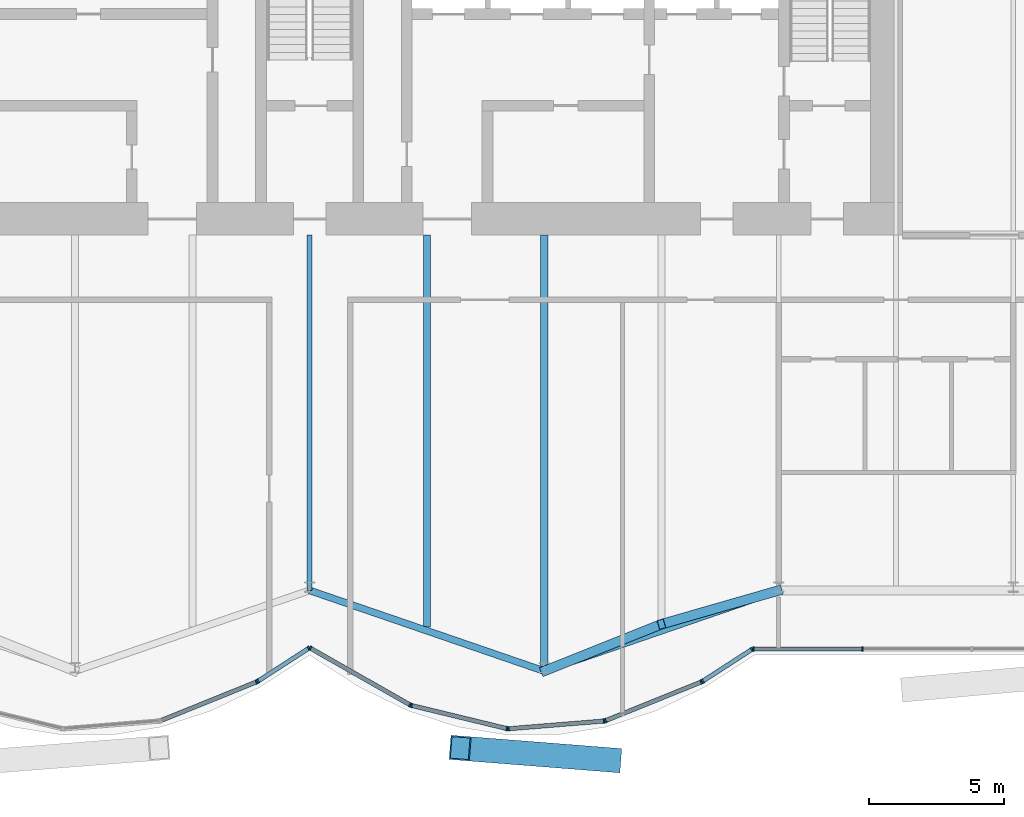
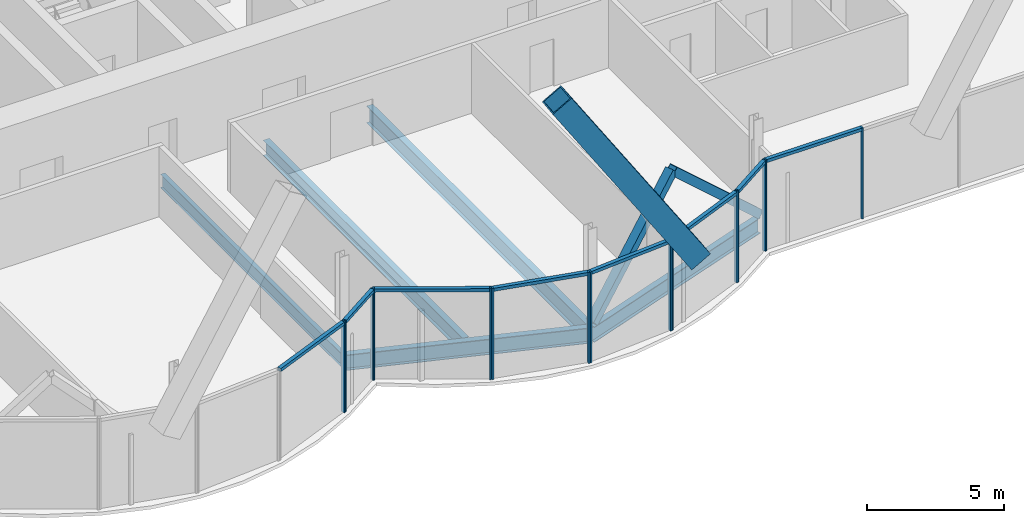
# One storey, part 8 of 19: 26 members, 5 beams, 3 elements without a shape of their own.
"""IFC4 building model written with IfcOpenShell, lengths in metres."""

from ifc_helpers import new_model, si_unit, direction, frame, origin, origin_2d, place, context, subcontext, project, spatial, rectangle, hollow_rectangle, i_section, extrude, material, material_profile, profile_set, type_object, element, aggregate, save


model = new_model("IFC4")

# Units and contexts
model_context = context("Model", 3, precision=1e-05, world=origin(), true_north=direction((0.0, 1.0)))
body_context = subcontext(model_context, "Body", "Model", "MODEL_VIEW")
ifc_project = project(units=[si_unit("LENGTHUNIT", "METRE"), si_unit("AREAUNIT", "SQUARE_METRE"), si_unit("VOLUMEUNIT", "CUBIC_METRE"), si_unit("PLANEANGLEUNIT", "RADIAN"), si_unit("MASSUNIT", "GRAM", prefix="KILO")], contexts=[model_context])

# Site, building, storey
site_placement = place(None, origin())
site = spatial("IfcSite", under=ifc_project, at=site_placement, CompositionType="ELEMENT")
building_placement = place(site_placement, origin())
building = spatial("IfcBuilding", under=site, at=building_placement, Name="Bicima Exchange Tower", CompositionType="ELEMENT")
storey_placement = place(building_placement, frame((0.0, 0.0, 270.800048828125)))
storey = spatial("IfcBuildingStorey", under=building, at=storey_placement, Name="L61", CompositionType="ELEMENT", Elevation=270.800048828125)

# Member
ifc_material_1 = material(Name="Steel ASTM A572 Gr 50", Category="steel")
ifc_material_profile_1 = material_profile(ifc_material_1, hollow_rectangle(XDim=0.89990234375, YDim=0.89990234375, WallThickness=0.050048828125, at=origin_2d()))
ifc_profile_set_1 = profile_set([ifc_material_profile_1], Name="Steel ASTM A572 Gr 50")
member_type_1 = type_object("IfcMemberType", Name="Exo mega brace BOX 900x900x50", PredefinedType="BRACE", material=ifc_profile_set_1)
member_1_placement = place(storey_placement, frame((11.166748046875, -32.466796875, 4.099853515625), z_axis=(-0.544041908681, 0.042676483785, 0.837972027774), x_axis=(-0.078203138445, -0.996937444947, 0.0)))
element("IfcMember", 1, at=member_1_placement, inside=storey, type_object=member_type_1, Name="Exo mega brace front", PredefinedType="BRACE", context=body_context, shape_type="SweptSolid", body=[
    extrude(hollow_rectangle(XDim=0.89990234375, YDim=0.89990234375, WallThickness=0.050048828125, at=origin_2d()), origin(), (0.0, 0.0, 1.0), 10.262939453125),
])

# Beams
ifc_material_2 = material(Name="Steel ASTM A992 Gr 50", Category="steel")
ifc_material_profile_2 = material_profile(ifc_material_2, i_section(OverallWidth=0.177978515625, OverallDepth=0.599365234375, WebThickness=0.010009765625, FlangeThickness=0.012939453125, at=origin_2d()))
ifc_profile_set_2 = profile_set([ifc_material_profile_2], Name="Steel ASTM A992 Gr 50")
beam_type_1 = type_object("IfcBeamType", Name="Floor beam W24x55", PredefinedType="JOIST", material=ifc_profile_set_2)
beam_1_placement = place(storey_placement, frame((0.0, -13.0, -0.44970703125), z_axis=(0.0, -1.0, 0.0), x_axis=(1.0, 0.0, 0.0)))
element("IfcBeam", 2, at=beam_1_placement, inside=storey, type_object=beam_type_1, Name="Floor beam", PredefinedType="JOIST", context=body_context, shape_type="SweptSolid", body=[
    extrude(i_section(OverallWidth=0.177978515625, OverallDepth=0.599365234375, WebThickness=0.010009765625, FlangeThickness=0.012939453125, at=origin_2d()), origin(), (0.0, 0.0, 1.0), 13.179931640625),
])
ifc_material_profile_3 = material_profile(ifc_material_2, i_section(OverallWidth=0.25390625, OverallDepth=0.67822265625, WebThickness=0.01171875, FlangeThickness=0.016357421875, at=origin_2d()))
ifc_profile_set_3 = profile_set([ifc_material_profile_3], Name="Steel ASTM A992 Gr 50")
beam_type_2 = type_object("IfcBeamType", Name="Floor beam W27x84", PredefinedType="JOIST", material=ifc_profile_set_3)
beam_2_placement = place(storey_placement, frame((4.35009765625, -13.0, -0.4892578125), z_axis=(0.0, -1.0, 0.0), x_axis=(1.0, 0.0, 0.0)))
element("IfcBeam", 3, at=beam_2_placement, inside=storey, type_object=beam_type_2, Name="Floor beam", PredefinedType="JOIST", context=body_context, shape_type="SweptSolid", body=[
    extrude(i_section(OverallWidth=0.25390625, OverallDepth=0.67822265625, WebThickness=0.01171875, FlangeThickness=0.016357421875, at=origin_2d()), origin(), (0.0, 0.0, 1.0), 14.539794921875),
])
ifc_material_profile_4 = material_profile(ifc_material_2, i_section(OverallWidth=0.2666015625, OverallDepth=0.75439453125, WebThickness=0.01318359375, FlangeThickness=0.01708984375, at=origin_2d()))
ifc_profile_set_4 = profile_set([ifc_material_profile_4], Name="Steel ASTM A992 Gr 50")
beam_type_3 = type_object("IfcBeamType", Name="Floor beam W30x99", PredefinedType="JOIST", material=ifc_profile_set_4)
beam_3_placement = place(storey_placement, frame((8.699951171875, -13.0, -0.52734375), z_axis=(0.0, -1.0, 0.0), x_axis=(1.0, 0.0, 0.0)))
element("IfcBeam", 4, at=beam_3_placement, inside=storey, type_object=beam_type_3, Name="Floor beam", PredefinedType="JOIST", context=body_context, shape_type="SweptSolid", body=[
    extrude(i_section(OverallWidth=0.2666015625, OverallDepth=0.75439453125, WebThickness=0.01318359375, FlangeThickness=0.01708984375, at=origin_2d()), origin(), (0.0, 0.0, 1.0), 16.035400390625),
])
ifc_material_profile_5 = material_profile(ifc_material_2, i_section(OverallWidth=0.256591796875, OverallDepth=0.693359375, WebThickness=0.014404296875, FlangeThickness=0.023681640625, at=origin_2d()))
ifc_profile_set_5 = profile_set([ifc_material_profile_5], Name="Steel ASTM A992 Gr 50")
beam_type_4 = type_object("IfcBeamType", Name="Front girder W27x114", PredefinedType="BEAM", material=ifc_profile_set_5)
for number, where, z_axis, x_axis, name in (
    (5, (0.0, -26.179931640625, -0.496826171875), (0.945666456746, -0.325138359143, 0.0), (0.325138359143, 0.945666456746, 0.0), "Front girder"),
    (6, (8.699951171875, -29.171142578125, -0.496826171875), (0.945666456746, 0.325138359143, 0.0), (-0.325138359143, 0.945666456746, 0.0), "Front girder"),
):
    element("IfcBeam", number, at=place(storey_placement, frame(where, z_axis=z_axis, x_axis=x_axis)), inside=storey, type_object=beam_type_4, Name=name, PredefinedType="BEAM", context=body_context, shape_type="SweptSolid", body=[
        extrude(i_section(OverallWidth=0.256591796875, OverallDepth=0.693359375, WebThickness=0.014404296875, FlangeThickness=0.023681640625, at=origin_2d()), origin(), (0.0, 0.0, 1.0), 9.19970703125),
    ])

# Curtain wall, members
ifc_material_3 = material(Name="Anodised bronze aluminium", Category="aluminium")
curtain_wall_type = type_object("IfcCurtainWallType", Name="Front glass wall", PredefinedType="NOTDEFINED", material=ifc_material_3)
curtain_wall_1_placement = place(storey_placement, origin())
curtain_wall_1 = element("IfcCurtainWall", 7, at=curtain_wall_1_placement, inside=storey, type_object=curtain_wall_type, Name="Front glass wall L61 run 6", PredefinedType="NOTDEFINED")
ifc_material_profile_6 = material_profile(ifc_material_3, rectangle(XDim=0.159912109375, YDim=0.06005859375, at=origin_2d()))
ifc_profile_set_6 = profile_set([ifc_material_profile_6], Name="Anodised bronze aluminium")
member_type_2 = type_object("IfcMemberType", Name="Front glass wall mullion 60 x 160", PredefinedType="MULLION", material=ifc_profile_set_6)
member_2_placement = place(storey_placement, frame((-1.97412109375, -29.57568359375, 0.0), z_axis=(0.0, 0.0, 1.0), x_axis=(-0.374705304, 0.92714396679, 0.0)))
member_2 = element("IfcMember", 8, at=member_2_placement, type_object=member_type_2, Name="Front glass wall mullion 2", PredefinedType="MULLION", context=body_context, shape_type="SweptSolid", body=[
    extrude(rectangle(XDim=0.159912109375, YDim=0.06005859375, at=origin_2d()), origin(), (0.0, 0.0, 1.0), 4.050048828125),
])
member_3_placement = place(storey_placement, frame((-1.921142578125, -29.548095703125, 0.0), z_axis=(0.0, 0.0, 1.0), x_axis=(-0.542897457326, 0.839798994301, 0.0)))
member_3 = element("IfcMember", 9, at=member_3_placement, type_object=member_type_2, Name="Front glass wall mullion 1", PredefinedType="MULLION", context=body_context, shape_type="SweptSolid", body=[
    extrude(rectangle(XDim=0.159912109375, YDim=0.06005859375, at=origin_2d()), origin(), (0.0, 0.0, 1.0), 4.050048828125),
])
member_4_placement = place(storey_placement, frame((-0.025146484375, -28.322509765625, 0.0), z_axis=(0.0, 0.0, 1.0), x_axis=(-0.542897457326, 0.839798994301, 0.0)))
member_4 = element("IfcMember", 10, at=member_4_placement, type_object=member_type_2, Name="Front glass wall mullion 2", PredefinedType="MULLION", context=body_context, shape_type="SweptSolid", body=[
    extrude(rectangle(XDim=0.159912109375, YDim=0.06005859375, at=origin_2d()), origin(), (0.0, 0.0, 1.0), 4.050048828125),
])

curtain_wall_2_placement = place(storey_placement, origin())
curtain_wall_2 = element("IfcCurtainWall", 11, at=curtain_wall_2_placement, inside=storey, type_object=curtain_wall_type, Name="Front glass wall L61 run 11", PredefinedType="NOTDEFINED")
member_5_placement = place(storey_placement, frame((0.026123046875, -28.321044921875, 0.0), z_axis=(0.0, 0.0, 1.0), x_axis=(0.494330311331, 0.869274147378, 0.0)))
member_5 = element("IfcMember", 12, at=member_5_placement, type_object=member_type_2, Name="Front glass wall mullion 1", PredefinedType="MULLION", context=body_context, shape_type="SweptSolid", body=[
    extrude(rectangle(XDim=0.159912109375, YDim=0.06005859375, at=origin_2d()), origin(), (0.0, 0.0, 1.0), 4.050048828125),
])
member_6_placement = place(storey_placement, frame((3.7265625, -30.42529296875, 0.0), z_axis=(0.0, 0.0, 1.0), x_axis=(0.494330311331, 0.869274147378, 0.0)))
member_6 = element("IfcMember", 13, at=member_6_placement, type_object=member_type_2, Name="Front glass wall mullion 2", PredefinedType="MULLION", context=body_context, shape_type="SweptSolid", body=[
    extrude(rectangle(XDim=0.159912109375, YDim=0.06005859375, at=origin_2d()), origin(), (0.0, 0.0, 1.0), 4.050048828125),
])
member_7_placement = place(storey_placement, frame((3.781982421875, -30.447265625, 0.0), z_axis=(0.0, 0.0, 1.0), x_axis=(0.235681529503, 0.971830343553, 0.0)))
member_7 = element("IfcMember", 14, at=member_7_placement, type_object=member_type_2, Name="Front glass wall mullion 1", PredefinedType="MULLION", context=body_context, shape_type="SweptSolid", body=[
    extrude(rectangle(XDim=0.159912109375, YDim=0.06005859375, at=origin_2d()), origin(), (0.0, 0.0, 1.0), 4.050048828125),
])
member_8_placement = place(storey_placement, frame((7.322509765625, -31.305908203125, 0.0), z_axis=(0.0, 0.0, 1.0), x_axis=(0.235681529503, 0.971830343553, 0.0)))
member_8 = element("IfcMember", 15, at=member_8_placement, type_object=member_type_2, Name="Front glass wall mullion 2", PredefinedType="MULLION", context=body_context, shape_type="SweptSolid", body=[
    extrude(rectangle(XDim=0.159912109375, YDim=0.06005859375, at=origin_2d()), origin(), (0.0, 0.0, 1.0), 4.050048828125),
])
member_9_placement = place(storey_placement, frame((7.381591796875, -31.310546875, 0.0), z_axis=(0.0, 0.0, 1.0), x_axis=(-0.080588612633, 0.99674744821, 0.0)))
member_9 = element("IfcMember", 16, at=member_9_placement, type_object=member_type_2, Name="Front glass wall mullion 1", PredefinedType="MULLION", context=body_context, shape_type="SweptSolid", body=[
    extrude(rectangle(XDim=0.159912109375, YDim=0.06005859375, at=origin_2d()), origin(), (0.0, 0.0, 1.0), 4.050048828125),
])
member_10_placement = place(storey_placement, frame((10.916015625, -31.02490234375, 0.0), z_axis=(0.0, 0.0, 1.0), x_axis=(-0.080588612633, 0.99674744821, 0.0)))
member_10 = element("IfcMember", 17, at=member_10_placement, type_object=member_type_2, Name="Front glass wall mullion 2", PredefinedType="MULLION", context=body_context, shape_type="SweptSolid", body=[
    extrude(rectangle(XDim=0.159912109375, YDim=0.06005859375, at=origin_2d()), origin(), (0.0, 0.0, 1.0), 4.050048828125),
])
member_11_placement = place(storey_placement, frame((10.973876953125, -31.01123046875, 0.0), z_axis=(0.0, 0.0, 1.0), x_axis=(-0.374705304, 0.92714396679, 0.0)))
member_11 = element("IfcMember", 18, at=member_11_placement, type_object=member_type_2, Name="Front glass wall mullion 1", PredefinedType="MULLION", context=body_context, shape_type="SweptSolid", body=[
    extrude(rectangle(XDim=0.159912109375, YDim=0.06005859375, at=origin_2d()), origin(), (0.0, 0.0, 1.0), 4.050048828125),
])
member_12_placement = place(storey_placement, frame((14.52587890625, -29.57568359375, 0.0), z_axis=(0.0, 0.0, 1.0), x_axis=(-0.374705304, 0.92714396679, 0.0)))
member_12 = element("IfcMember", 19, at=member_12_placement, type_object=member_type_2, Name="Front glass wall mullion 2", PredefinedType="MULLION", context=body_context, shape_type="SweptSolid", body=[
    extrude(rectangle(XDim=0.159912109375, YDim=0.06005859375, at=origin_2d()), origin(), (0.0, 0.0, 1.0), 4.050048828125),
])
member_13_placement = place(storey_placement, frame((14.578857421875, -29.548095703125, 0.0), z_axis=(0.0, 0.0, 1.0), x_axis=(-0.542909183079, 0.839791413941, 0.0)))
member_13 = element("IfcMember", 20, at=member_13_placement, type_object=member_type_2, Name="Front glass wall mullion 1", PredefinedType="MULLION", context=body_context, shape_type="SweptSolid", body=[
    extrude(rectangle(XDim=0.159912109375, YDim=0.06005859375, at=origin_2d()), origin(), (0.0, 0.0, 1.0), 4.050048828125),
])
member_14_placement = place(storey_placement, frame((16.406982421875, -28.3662109375, 0.0), z_axis=(0.0, 0.0, 1.0), x_axis=(-0.542909183079, 0.839791413941, 0.0)))
member_14 = element("IfcMember", 21, at=member_14_placement, type_object=member_type_2, Name="Front glass wall mullion 2", PredefinedType="MULLION", context=body_context, shape_type="SweptSolid", body=[
    extrude(rectangle(XDim=0.159912109375, YDim=0.06005859375, at=origin_2d()), origin(), (0.0, 0.0, 1.0), 4.050048828125),
])

curtain_wall_3_placement = place(storey_placement, origin())
curtain_wall_3 = element("IfcCurtainWall", 22, at=curtain_wall_3_placement, inside=storey, type_object=curtain_wall_type, Name="Front glass wall L61 run 16", PredefinedType="NOTDEFINED")
member_15_placement = place(storey_placement, frame((16.462158203125, -28.35009765625, 0.0), z_axis=(0.0, 0.0, 1.0), x_axis=(0.0, 1.0, 0.0)))
member_15 = element("IfcMember", 23, at=member_15_placement, type_object=member_type_2, Name="Front glass wall mullion 1", PredefinedType="MULLION", context=body_context, shape_type="SweptSolid", body=[
    extrude(rectangle(XDim=0.159912109375, YDim=0.06005859375, at=origin_2d()), origin(), (0.0, 0.0, 1.0), 4.050048828125),
])
member_16_placement = place(storey_placement, frame((20.51171875, -28.35009765625, 0.0), z_axis=(0.0, 0.0, 1.0), x_axis=(0.0, 1.0, 0.0)))
member_16 = element("IfcMember", 24, at=member_16_placement, type_object=member_type_2, Name="Front glass wall mullion 2", PredefinedType="MULLION", context=body_context, shape_type="SweptSolid", body=[
    extrude(rectangle(XDim=0.159912109375, YDim=0.06005859375, at=origin_2d()), origin(), (0.0, 0.0, 1.0), 4.050048828125),
])

# Member
ifc_material_profile_7 = material_profile(ifc_material_3, rectangle(XDim=0.159912109375, YDim=0.139892578125, at=origin_2d()))
ifc_profile_set_7 = profile_set([ifc_material_profile_7], Name="Anodised bronze aluminium")
member_type_3 = type_object("IfcMemberType", Name="Front glass wall transom 140 x 160", PredefinedType="USERDEFINED", material=ifc_profile_set_7)
member_17_placement = place(storey_placement, frame((-5.498291015625, -31.0, 3.97998046875), z_axis=(0.927140215882, 0.374714584842, 0.0), x_axis=(-0.374714584842, 0.927140215882, 0.0)))
member_17 = element("IfcMember", 25, at=member_17_placement, type_object=member_type_3, Name="Front glass wall transom 1.1", ObjectType="TRANSOM", PredefinedType="USERDEFINED", context=body_context, shape_type="SweptSolid", body=[
    extrude(rectangle(XDim=0.159912109375, YDim=0.139892578125, at=origin_2d()), origin(), (0.0, 0.0, 1.0), 3.77099609375),
])

member_18_placement = place(storey_placement, frame((-1.89599609375, -29.53173828125, 3.97998046875), z_axis=(0.839811483481, 0.542878137536, 0.0), x_axis=(-0.542878137536, 0.839811483481, 0.0)))
member_18 = element("IfcMember", 26, at=member_18_placement, type_object=member_type_3, Name="Front glass wall transom 1.1", ObjectType="TRANSOM", PredefinedType="USERDEFINED", context=body_context, shape_type="SweptSolid", body=[
    extrude(rectangle(XDim=0.159912109375, YDim=0.139892578125, at=origin_2d()), origin(), (0.0, 0.0, 1.0), 2.19775390625),
])

aggregate(curtain_wall_1, [member_2, member_17, member_3, member_4, member_18])

member_19_placement = place(storey_placement, frame((0.05224609375, -28.335693359375, 3.97998046875), z_axis=(0.869265121745, -0.494346182466, 0.0), x_axis=(0.494346182466, 0.869265121745, 0.0)))
member_19 = element("IfcMember", 27, at=member_19_placement, type_object=member_type_3, Name="Front glass wall transom 1.1", ObjectType="TRANSOM", PredefinedType="USERDEFINED", context=body_context, shape_type="SweptSolid", body=[
    extrude(rectangle(XDim=0.159912109375, YDim=0.139892578125, at=origin_2d()), origin(), (0.0, 0.0, 1.0), 4.19677734375),
])

member_20_placement = place(storey_placement, frame((3.81103515625, -30.454345703125, 3.97998046875), z_axis=(0.971833557815, -0.235668275132, 0.0), x_axis=(0.235668275132, 0.971833557815, 0.0)))
member_20 = element("IfcMember", 28, at=member_20_placement, type_object=member_type_3, Name="Front glass wall transom 1.1", ObjectType="TRANSOM", PredefinedType="USERDEFINED", context=body_context, shape_type="SweptSolid", body=[
    extrude(rectangle(XDim=0.159912109375, YDim=0.139892578125, at=origin_2d()), origin(), (0.0, 0.0, 1.0), 3.583251953125),
])

member_21_placement = place(storey_placement, frame((7.41162109375, -31.30810546875, 3.97998046875), z_axis=(0.9967456465, 0.080610893699, 0.0), x_axis=(-0.080610893699, 0.9967456465, 0.0)))
member_21 = element("IfcMember", 29, at=member_21_placement, type_object=member_type_3, Name="Front glass wall transom 1.1", ObjectType="TRANSOM", PredefinedType="USERDEFINED", context=body_context, shape_type="SweptSolid", body=[
    extrude(rectangle(XDim=0.159912109375, YDim=0.139892578125, at=origin_2d()), origin(), (0.0, 0.0, 1.0), 3.48583984375),
])

member_22_placement = place(storey_placement, frame((11.001708984375, -31.0, 3.97998046875), z_axis=(0.927140215882, 0.374714584842, 0.0), x_axis=(-0.374714584842, 0.927140215882, 0.0)))
member_22 = element("IfcMember", 30, at=member_22_placement, type_object=member_type_3, Name="Front glass wall transom 1.1", ObjectType="TRANSOM", PredefinedType="USERDEFINED", context=body_context, shape_type="SweptSolid", body=[
    extrude(rectangle(XDim=0.159912109375, YDim=0.139892578125, at=origin_2d()), origin(), (0.0, 0.0, 1.0), 3.77099609375),
])

member_23_placement = place(storey_placement, frame((14.60400390625, -29.53173828125, 3.97998046875), z_axis=(0.839792890287, 0.542906899407, 0.0), x_axis=(-0.542906899407, 0.839792890287, 0.0)))
member_23 = element("IfcMember", 31, at=member_23_placement, type_object=member_type_3, Name="Front glass wall transom 1.1", ObjectType="TRANSOM", PredefinedType="USERDEFINED", context=body_context, shape_type="SweptSolid", body=[
    extrude(rectangle(XDim=0.159912109375, YDim=0.139892578125, at=origin_2d()), origin(), (0.0, 0.0, 1.0), 2.11669921875),
])

aggregate(curtain_wall_2, [member_5, member_6, member_19, member_7, member_8, member_20, member_9, member_10, member_21, member_11, member_12, member_22, member_13, member_14, member_23])

member_24_placement = place(storey_placement, frame((16.4921875, -28.35009765625, 3.97998046875), z_axis=(1.0, 0.0, 0.0), x_axis=(0.0, 1.0, 0.0)))
member_24 = element("IfcMember", 32, at=member_24_placement, type_object=member_type_3, Name="Front glass wall transom 1.1", ObjectType="TRANSOM", PredefinedType="USERDEFINED", context=body_context, shape_type="SweptSolid", body=[
    extrude(rectangle(XDim=0.159912109375, YDim=0.139892578125, at=origin_2d()), origin(), (0.0, 0.0, 1.0), 3.989501953125),
])

aggregate(curtain_wall_3, [member_15, member_16, member_24])

# Members
ifc_material_profile_8 = material_profile(ifc_material_1, hollow_rectangle(XDim=0.355712890625, YDim=0.355712890625, WallThickness=0.0146484375, at=origin_2d()))
ifc_profile_set_8 = profile_set([ifc_material_profile_8], Name="Steel ASTM A572 Gr 50")
member_type_4 = type_object("IfcMemberType", Name="Mega brace HSS14x14x5/8", PredefinedType="BRACE", material=ifc_profile_set_8)
member_25_placement = place(storey_placement, frame((8.699951171875, -29.171142578125, 0.0), z_axis=(0.691366198874, 0.276499917677, 0.667503239377), x_axis=(-0.3713367687, 0.928498252132, 0.0)))
element("IfcMember", 33, at=member_25_placement, inside=storey, type_object=member_type_4, Name="Mega brace front", PredefinedType="BRACE", context=body_context, shape_type="SweptSolid", body=[
    extrude(hollow_rectangle(XDim=0.355712890625, YDim=0.355712890625, WallThickness=0.0146484375, at=origin_2d()), origin(), (0.0, 0.0, 1.0), 6.2919921875),
])
member_26_placement = place(storey_placement, frame((17.39990234375, -26.179931640625, 0.0), z_axis=(-0.704463393318, -0.202676059614, 0.680186549657), x_axis=(0.27648739579, -0.961017544049, 0.0)))
element("IfcMember", 34, at=member_26_placement, inside=storey, type_object=member_type_4, Name="Mega brace front", PredefinedType="BRACE", context=body_context, shape_type="SweptSolid", body=[
    extrude(hollow_rectangle(XDim=0.355712890625, YDim=0.355712890625, WallThickness=0.0146484375, at=origin_2d()), origin(), (0.0, 0.0, 1.0), 6.1748046875),
])

save(model, "model.ifc")
